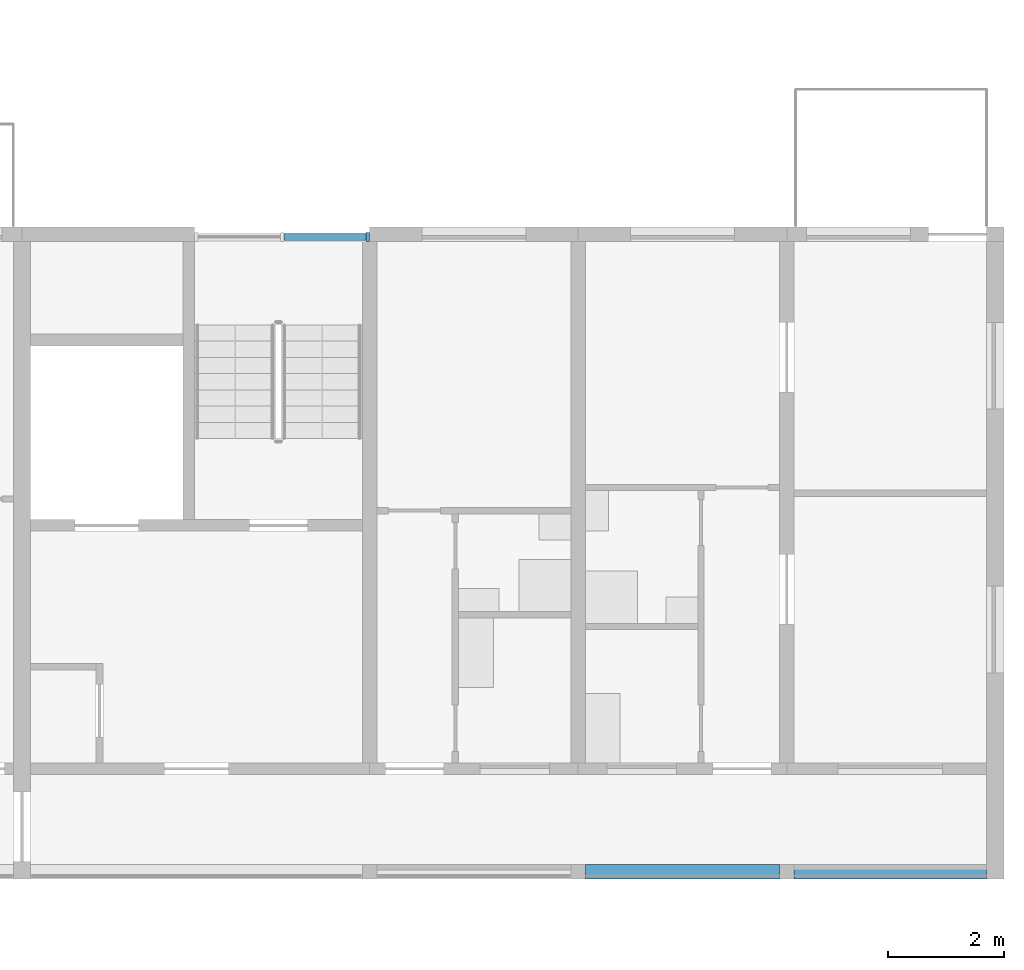
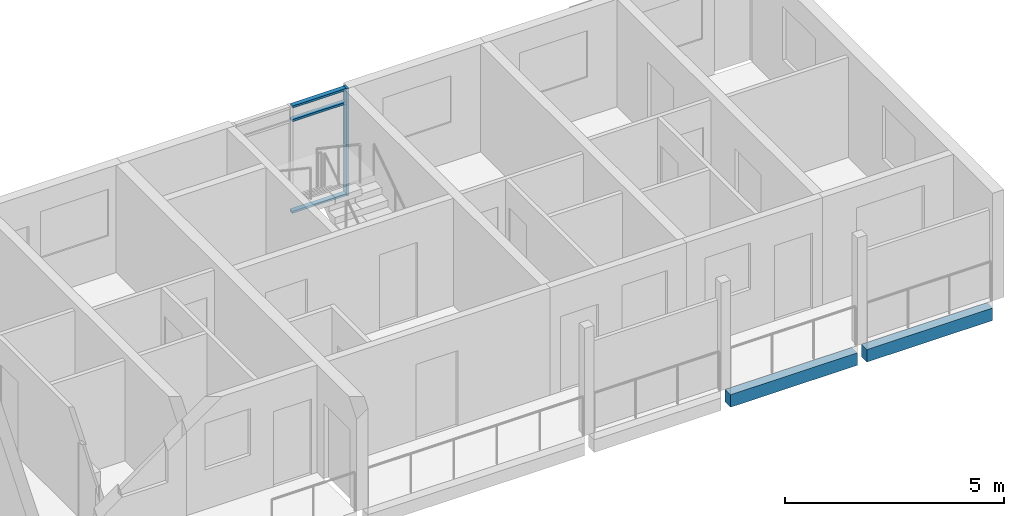
# One storey, part 19 of 100: 4 members, 2 beams, 1 element without a shape of its own.
"""IFC4 building model written with IfcOpenShell, lengths in metres."""

from ifc_helpers import new_model, si_unit, direction, frame, origin, origin_2d, place, context, subcontext, project, spatial, rectangle, extrude, material, material_profile, profile_set, type_object, element, aggregate, save


model = new_model("IFC4")

# Units and contexts
model_context = context("Model", 3, precision=1e-05, world=origin(), true_north=direction((0.0, 1.0)))
body_context = subcontext(model_context, "Body", "Model", "MODEL_VIEW")
ifc_project = project(units=[si_unit("LENGTHUNIT", "METRE"), si_unit("AREAUNIT", "SQUARE_METRE"), si_unit("VOLUMEUNIT", "CUBIC_METRE"), si_unit("PLANEANGLEUNIT", "RADIAN"), si_unit("MASSUNIT", "GRAM", prefix="KILO")], contexts=[model_context])

# Site, building, storey
site_placement = place(None, origin())
site = spatial("IfcSite", under=ifc_project, at=site_placement, CompositionType="ELEMENT")
building_placement = place(site_placement, origin())
building = spatial("IfcBuilding", under=site, at=building_placement, Name="Ridgestep Commons", CompositionType="ELEMENT")
storey_placement = place(building_placement, frame((0.0, 0.0, 9.0)))
storey = spatial("IfcBuildingStorey", under=building, at=storey_placement, Name="L03", CompositionType="ELEMENT", Elevation=9.0)

# Beams
ifc_material_1 = material(Name="Precast concrete C40/50", Category="concrete")
ifc_material_profile_1 = material_profile(ifc_material_1, rectangle(XDim=0.25, YDim=0.35009765625, at=origin_2d()), Name="PC 250x350")
ifc_profile_set_1 = profile_set([ifc_material_profile_1], Name="Precast concrete C40/50")
beam_type = type_object("IfcBeamType", Name="Loggia edge beam 250 x 350", PredefinedType="SPANDREL", material=ifc_profile_set_1)
beam_1_placement = place(storey_placement, frame((240.52490234375, 11.875, -0.375), z_axis=(1.0, 0.0, 0.0), x_axis=(0.0, 1.0, 0.0)))
element("IfcBeam", 1, at=beam_1_placement, inside=storey, type_object=beam_type, Name="Loggia edge beam D6T2 L03", PredefinedType="SPANDREL", context=body_context, shape_type="SweptSolid", body=[
    extrude(rectangle(XDim=0.25, YDim=0.35009765625, at=origin_2d()), origin(), (0.0, 0.0, 1.0), 3.35009765625),
])
beam_2_placement = place(storey_placement, frame((244.125, 11.875, -0.375), z_axis=(1.0, 0.0, 0.0), x_axis=(0.0, 1.0, 0.0)))
element("IfcBeam", 2, at=beam_2_placement, inside=storey, type_object=beam_type, Name="Loggia edge beam D6T1 L03", PredefinedType="SPANDREL", context=body_context, shape_type="SweptSolid", body=[
    extrude(rectangle(XDim=0.25, YDim=0.35009765625, at=origin_2d()), origin(), (0.0, 0.0, 1.0), 3.324951171875),
])

# Curtain wall, members
ifc_material_2 = material(Name="Aluminium 6063-T6 and glass", Category="aluminium")
curtain_wall_type = type_object("IfcCurtainWallType", Name="Curtain wall stair strip", PredefinedType="NOTDEFINED", material=ifc_material_2)
curtain_wall_placement = place(storey_placement, origin())
curtain_wall = element("IfcCurtainWall", 3, at=curtain_wall_placement, inside=storey, type_object=curtain_wall_type, Name="Curtain wall D6C level 03", PredefinedType="NOTDEFINED")
ifc_material_3 = material(Name="Aluminium 6063-T6", Category="aluminium")
ifc_material_profile_2 = material_profile(ifc_material_3, rectangle(XDim=0.159912109375, YDim=0.06005859375, at=origin_2d()), Name="Mullion 60 x 160")
ifc_profile_set_2 = profile_set([ifc_material_profile_2], Name="Aluminium 6063-T6")
member_type_1 = type_object("IfcMemberType", Name="Mullion 60 x 160", PredefinedType="MULLION", material=ifc_profile_set_2)
member_1_placement = place(storey_placement, frame((236.77001953125, 22.830078125, 0.0), z_axis=(0.0, 0.0, 1.0), x_axis=(0.0, 1.0, 0.0)))
member_1 = element("IfcMember", 4, at=member_1_placement, type_object=member_type_1, Name="CW1 mullion 3", PredefinedType="MULLION", context=body_context, shape_type="SweptSolid", body=[
    extrude(rectangle(XDim=0.159912109375, YDim=0.06005859375, at=origin_2d()), origin(), (0.0, 0.0, 1.0), 3.0),
])
ifc_material_4 = material(Name="Aluminium 6063-T6", Category="aluminium")
ifc_material_profile_3 = material_profile(ifc_material_4, rectangle(XDim=0.1201171875, YDim=0.06005859375, at=origin_2d()), Name="Transom 60 x 120")
ifc_profile_set_3 = profile_set([ifc_material_profile_3], Name="Aluminium 6063-T6")
member_type_2 = type_object("IfcMemberType", Name="Transom 60 x 120", PredefinedType="USERDEFINED", material=ifc_profile_set_3)
member_2_placement = place(storey_placement, frame((235.3173828125, 22.830078125, 0.030029296875), z_axis=(1.0, 0.0, 0.0), x_axis=(0.0, 1.0, 0.0)))
member_2 = element("IfcMember", 5, at=member_2_placement, type_object=member_type_2, Name="CW1 transom 2.1", ObjectType="TRANSOM", PredefinedType="USERDEFINED", context=body_context, shape_type="SweptSolid", body=[
    extrude(rectangle(XDim=0.1201171875, YDim=0.06005859375, at=origin_2d()), origin(), (0.0, 0.0, 1.0), 1.422607421875),
])
member_3_placement = place(storey_placement, frame((235.3173828125, 22.830078125, 2.590087890625), z_axis=(1.0, 0.0, 0.0), x_axis=(0.0, 1.0, 0.0)))
member_3 = element("IfcMember", 6, at=member_3_placement, type_object=member_type_2, Name="CW1 transom 2.2", ObjectType="TRANSOM", PredefinedType="USERDEFINED", context=body_context, shape_type="SweptSolid", body=[
    extrude(rectangle(XDim=0.1201171875, YDim=0.06005859375, at=origin_2d()), origin(), (0.0, 0.0, 1.0), 1.422607421875),
])
member_4_placement = place(storey_placement, frame((235.3173828125, 22.830078125, 2.969970703125), z_axis=(1.0, 0.0, 0.0), x_axis=(0.0, 1.0, 0.0)))
member_4 = element("IfcMember", 7, at=member_4_placement, type_object=member_type_2, Name="CW1 transom 2.3", ObjectType="TRANSOM", PredefinedType="USERDEFINED", context=body_context, shape_type="SweptSolid", body=[
    extrude(rectangle(XDim=0.1201171875, YDim=0.06005859375, at=origin_2d()), origin(), (0.0, 0.0, 1.0), 1.422607421875),
])
aggregate(curtain_wall, [member_1, member_2, member_3, member_4])

save(model, "model.ifc")
